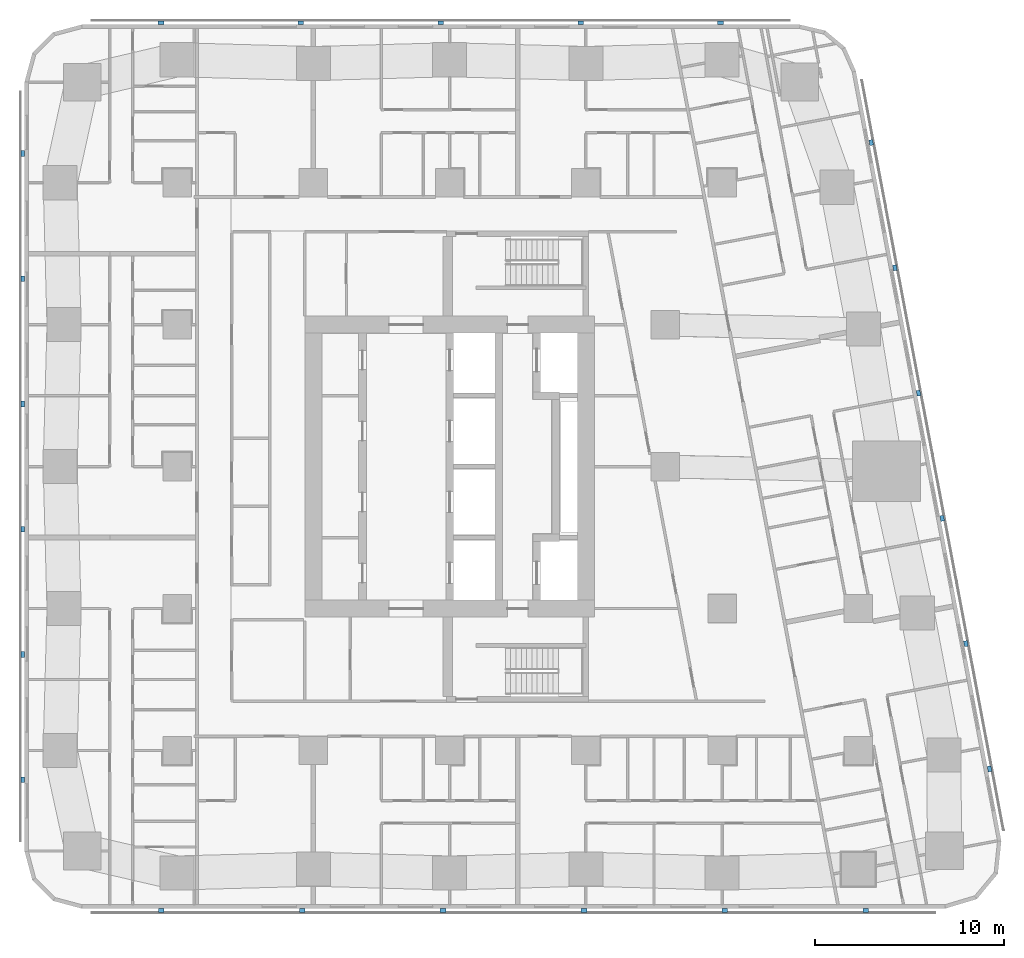
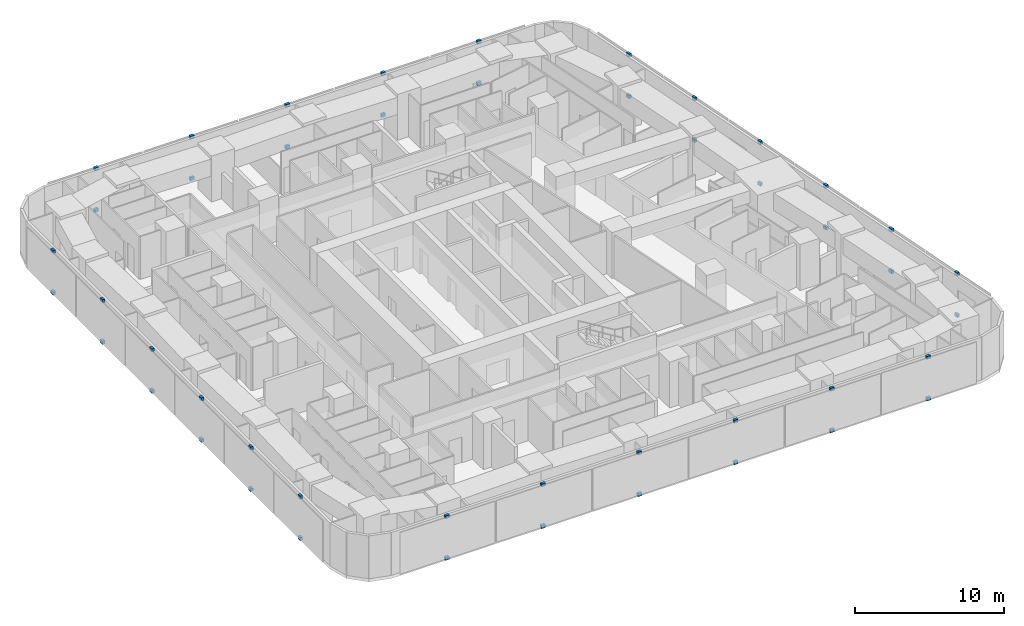
# One storey, part 12 of 15: 46 discrete accessories.
"""IFC4 building model written with IfcOpenShell, lengths in metres."""

from ifc_helpers import new_model, si_unit, direction, frame, origin, origin_2d, place, context, subcontext, project, spatial, rectangle, extrude, material, type_object, element, save


model = new_model("IFC4")

# Units and contexts
model_context = context("Model", 3, precision=1e-05, world=origin(), true_north=direction((0.0, 1.0)))
body_context = subcontext(model_context, "Body", "Model", "MODEL_VIEW")
ifc_project = project(units=[si_unit("LENGTHUNIT", "METRE"), si_unit("AREAUNIT", "SQUARE_METRE"), si_unit("VOLUMEUNIT", "CUBIC_METRE"), si_unit("PLANEANGLEUNIT", "RADIAN"), si_unit("MASSUNIT", "GRAM", prefix="KILO")], contexts=[model_context])

# Site, building, storey
site_placement = place(None, origin())
site = spatial("IfcSite", under=ifc_project, at=site_placement, CompositionType="ELEMENT")
building_placement = place(site_placement, origin())
building = spatial("IfcBuilding", under=site, at=building_placement, Name="Sheger Commons Tower", CompositionType="ELEMENT")
storey_placement = place(building_placement, frame((0.0, 0.0, 154.550048828125)))
storey = spatial("IfcBuildingStorey", under=building, at=storey_placement, Name="L39", CompositionType="ELEMENT", Elevation=154.550048828125)

# Discrete accessories
ifc_material = material(Name="Black painted steel bracket", Category="steel")
discrete_accessory_type = type_object("IfcDiscreteAccessoryType", Name="SCREEN BRACKET 300x200x250", PredefinedType="BRACKET", material=ifc_material)
for number, where, z_axis, x_axis, name in (
    (1, (6.37109375, -0.949951171875, -0.10009765625), (0.0, 0.0, 1.0), (1.0, 0.0, 0.0), "Solar screen foot bracket"),
    (2, (6.37109375, -0.949951171875, 3.300048828125), (0.0, 0.0, 1.0), (1.0, 0.0, 0.0), "Solar screen head bracket"),
    (3, (13.81396484375, -0.949951171875, -0.10009765625), (0.0, 0.0, 1.0), (1.0, 0.0, 0.0), "Solar screen foot bracket"),
    (4, (13.81396484375, -0.949951171875, 3.300048828125), (0.0, 0.0, 1.0), (1.0, 0.0, 0.0), "Solar screen head bracket"),
    (5, (21.257080078125, -0.949951171875, -0.10009765625), (0.0, 0.0, 1.0), (1.0, 0.0, 0.0), "Solar screen foot bracket"),
    (6, (21.257080078125, -0.949951171875, 3.300048828125), (0.0, 0.0, 1.0), (1.0, 0.0, 0.0), "Solar screen head bracket"),
    (7, (28.698974609375, -0.949951171875, -0.10009765625), (0.0, 0.0, 1.0), (1.0, 0.0, 0.0), "Solar screen foot bracket"),
    (8, (28.698974609375, -0.949951171875, 3.300048828125), (0.0, 0.0, 1.0), (1.0, 0.0, 0.0), "Solar screen head bracket"),
    (9, (36.14208984375, -0.949951171875, -0.10009765625), (0.0, 0.0, 1.0), (1.0, 0.0, 0.0), "Solar screen foot bracket"),
    (10, (36.14208984375, -0.949951171875, 3.300048828125), (0.0, 0.0, 1.0), (1.0, 0.0, 0.0), "Solar screen head bracket"),
    (11, (43.5849609375, -0.949951171875, -0.10009765625), (0.0, 0.0, 1.0), (1.0, 0.0, 0.0), "Solar screen foot bracket"),
    (12, (43.5849609375, -0.949951171875, 3.300048828125), (0.0, 0.0, 1.0), (1.0, 0.0, 0.0), "Solar screen head bracket"),
    (13, (50.134033203125, 6.527099609375, -0.10009765625), (0.0, 0.0, 1.0), (-0.185615165645, 0.982622516678, 0.0), "Solar screen foot bracket"),
    (14, (50.134033203125, 6.527099609375, 3.300048828125), (0.0, 0.0, 1.0), (-0.185615165645, 0.982622516678, 0.0), "Solar screen head bracket"),
    (15, (48.884033203125, 13.14599609375, -0.10009765625), (0.0, 0.0, 1.0), (-0.185615165645, 0.982622516678, 0.0), "Solar screen foot bracket"),
    (16, (48.884033203125, 13.14599609375, 3.300048828125), (0.0, 0.0, 1.0), (-0.185615165645, 0.982622516678, 0.0), "Solar screen head bracket"),
    (17, (47.633056640625, 19.76611328125, -0.10009765625), (0.0, 0.0, 1.0), (-0.185615165645, 0.982622516678, 0.0), "Solar screen foot bracket"),
    (18, (47.633056640625, 19.76611328125, 3.300048828125), (0.0, 0.0, 1.0), (-0.185615165645, 0.982622516678, 0.0), "Solar screen head bracket"),
    (19, (46.383056640625, 26.385009765625, -0.10009765625), (0.0, 0.0, 1.0), (-0.185615165645, 0.982622516678, 0.0), "Solar screen foot bracket"),
    (20, (46.383056640625, 26.385009765625, 3.300048828125), (0.0, 0.0, 1.0), (-0.185615165645, 0.982622516678, 0.0), "Solar screen head bracket"),
    (21, (45.133056640625, 33.0048828125, -0.10009765625), (0.0, 0.0, 1.0), (-0.185615165645, 0.982622516678, 0.0), "Solar screen foot bracket"),
    (22, (45.133056640625, 33.0048828125, 3.300048828125), (0.0, 0.0, 1.0), (-0.185615165645, 0.982622516678, 0.0), "Solar screen head bracket"),
    (23, (43.882080078125, 39.6240234375, -0.10009765625), (0.0, 0.0, 1.0), (-0.185615165645, 0.982622516678, 0.0), "Solar screen foot bracket"),
    (24, (43.882080078125, 39.6240234375, 3.300048828125), (0.0, 0.0, 1.0), (-0.185615165645, 0.982622516678, 0.0), "Solar screen head bracket"),
    (25, (35.9208984375, 45.949951171875, -0.10009765625), (0.0, 0.0, 1.0), (-1.0, 0.0, 0.0), "Solar screen foot bracket"),
    (26, (35.9208984375, 45.949951171875, 3.300048828125), (0.0, 0.0, 1.0), (-1.0, 0.0, 0.0), "Solar screen head bracket"),
    (27, (28.528076171875, 45.949951171875, -0.10009765625), (0.0, 0.0, 1.0), (-1.0, 0.0, 0.0), "Solar screen foot bracket"),
    (28, (28.528076171875, 45.949951171875, 3.300048828125), (0.0, 0.0, 1.0), (-1.0, 0.0, 0.0), "Solar screen head bracket"),
    (29, (21.134033203125, 45.949951171875, -0.10009765625), (0.0, 0.0, 1.0), (-1.0, 0.0, 0.0), "Solar screen foot bracket"),
    (30, (21.134033203125, 45.949951171875, 3.300048828125), (0.0, 0.0, 1.0), (-1.0, 0.0, 0.0), "Solar screen head bracket"),
    (31, (13.739990234375, 45.949951171875, -0.10009765625), (0.0, 0.0, 1.0), (-1.0, 0.0, 0.0), "Solar screen foot bracket"),
    (32, (13.739990234375, 45.949951171875, 3.300048828125), (0.0, 0.0, 1.0), (-1.0, 0.0, 0.0), "Solar screen head bracket"),
    (33, (6.346923828125, 45.949951171875, -0.10009765625), (0.0, 0.0, 1.0), (-1.0, 0.0, 0.0), "Solar screen foot bracket"),
    (34, (6.346923828125, 45.949951171875, 3.300048828125), (0.0, 0.0, 1.0), (-1.0, 0.0, 0.0), "Solar screen head bracket"),
    (35, (-0.949951171875, 39.0419921875, -0.10009765625), (0.0, 0.0, 1.0), (0.0, -1.0, 0.0), "Solar screen foot bracket"),
    (36, (-0.949951171875, 39.0419921875, 3.300048828125), (0.0, 0.0, 1.0), (0.0, -1.0, 0.0), "Solar screen head bracket"),
    (37, (-0.949951171875, 32.425048828125, -0.10009765625), (0.0, 0.0, 1.0), (0.0, -1.0, 0.0), "Solar screen foot bracket"),
    (38, (-0.949951171875, 32.425048828125, 3.300048828125), (0.0, 0.0, 1.0), (0.0, -1.0, 0.0), "Solar screen head bracket"),
    (39, (-0.949951171875, 25.80810546875, -0.10009765625), (0.0, 0.0, 1.0), (0.0, -1.0, 0.0), "Solar screen foot bracket"),
    (40, (-0.949951171875, 25.80810546875, 3.300048828125), (0.0, 0.0, 1.0), (0.0, -1.0, 0.0), "Solar screen head bracket"),
    (41, (-0.949951171875, 19.19189453125, -0.10009765625), (0.0, 0.0, 1.0), (0.0, -1.0, 0.0), "Solar screen foot bracket"),
    (42, (-0.949951171875, 19.19189453125, 3.300048828125), (0.0, 0.0, 1.0), (0.0, -1.0, 0.0), "Solar screen head bracket"),
    (43, (-0.949951171875, 12.574951171875, -0.10009765625), (0.0, 0.0, 1.0), (0.0, -1.0, 0.0), "Solar screen foot bracket"),
    (44, (-0.949951171875, 12.574951171875, 3.300048828125), (0.0, 0.0, 1.0), (0.0, -1.0, 0.0), "Solar screen head bracket"),
    (45, (-0.949951171875, 5.9580078125, -0.10009765625), (0.0, 0.0, 1.0), (0.0, -1.0, 0.0), "Solar screen foot bracket"),
    (46, (-0.949951171875, 5.9580078125, 3.300048828125), (0.0, 0.0, 1.0), (0.0, -1.0, 0.0), "Solar screen head bracket"),
):
    element("IfcDiscreteAccessory", number, at=place(storey_placement, frame(where, z_axis=z_axis, x_axis=x_axis)), inside=storey, type_object=discrete_accessory_type, Name=name, PredefinedType="BRACKET", context=body_context, shape_type="SweptSolid", body=[
        extrude(rectangle(XDim=0.300048828125, YDim=0.199951171875, at=origin_2d()), origin(), (0.0, 0.0, 1.0), 0.25),
    ])

save(model, "model.ifc")
